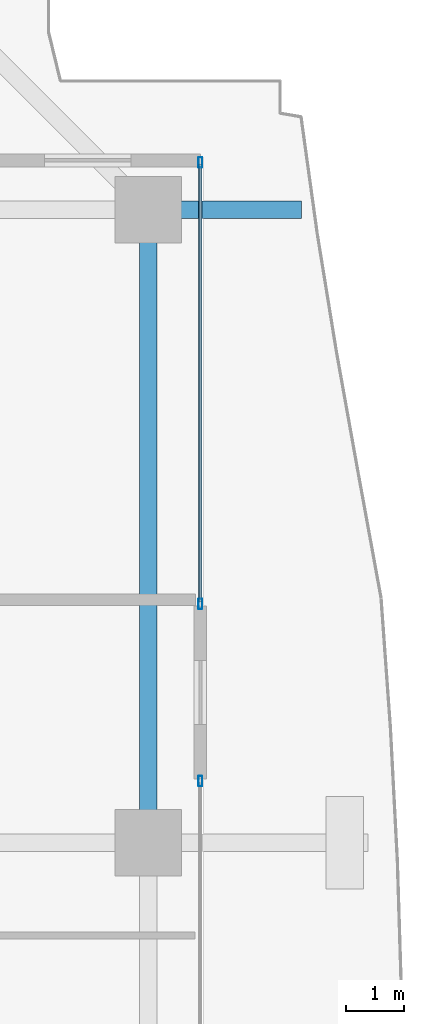
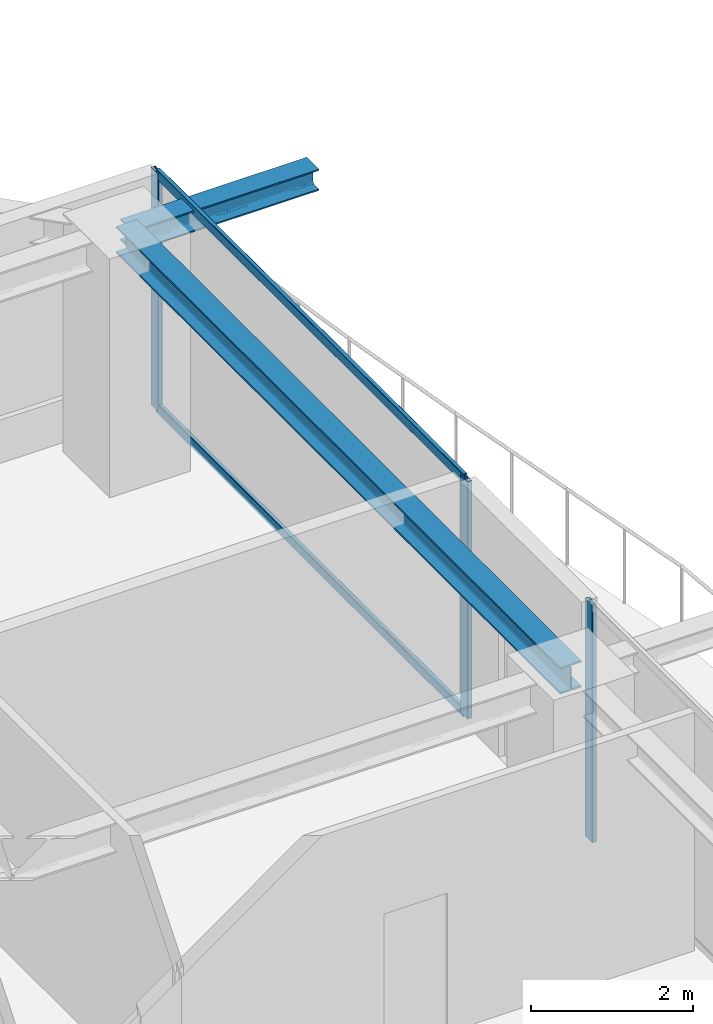
# One storey, part 23 of 38: 5 members, 2 beams, 2 elements without a shape of their own.
"""IFC4 building model written with IfcOpenShell, lengths in metres."""

from ifc_helpers import new_model, si_unit, direction, frame, origin, origin_2d, place, context, subcontext, project, spatial, hollow_rectangle, i_section, extrude, source, transform, mapped, material, layer, layer_set, material_profile, profile_set, type_object, element, aggregate, save


model = new_model("IFC4")

# Units and contexts
model_context = context("Model", 3, precision=1e-05, world=origin(), true_north=direction((0.0, 1.0)))
body_context = subcontext(model_context, "Body", "Model", "MODEL_VIEW")
ifc_project = project(units=[si_unit("LENGTHUNIT", "METRE"), si_unit("AREAUNIT", "SQUARE_METRE"), si_unit("VOLUMEUNIT", "CUBIC_METRE"), si_unit("PLANEANGLEUNIT", "RADIAN"), si_unit("MASSUNIT", "GRAM", prefix="KILO")], contexts=[model_context])

# Site, building, storey
site_placement = place(None, origin())
site = spatial("IfcSite", under=ifc_project, at=site_placement, CompositionType="ELEMENT")
building_placement = place(site_placement, origin())
building = spatial("IfcBuilding", under=site, at=building_placement, Name="Serunith Strait Residences", CompositionType="ELEMENT")
storey_placement = place(building_placement, frame((0.0, 0.0, 229.699951171875)))
storey = spatial("IfcBuildingStorey", under=building, at=storey_placement, Name="L57", CompositionType="ELEMENT", Elevation=229.699951171875)

# Beams
ifc_material_1 = material(Name="Steel S355J2", Category="steel")
ifc_material_profile_1 = material_profile(ifc_material_1, i_section(OverallWidth=0.300048828125, OverallDepth=0.39990234375, WebThickness=0.013427734375, FlangeThickness=0.02392578125, FilletRadius=0.027099609375, at=origin_2d()), Name="HEB 400")
ifc_profile_set_1 = profile_set([ifc_material_profile_1], Name="Steel S355J2")
beam_type_1 = type_object("IfcBeamType", Name="BM-HEB400", PredefinedType="BEAM", material=ifc_profile_set_1)
shared_shape_1 = source(origin(), body_context, "Body", "SweptSolid", [
    extrude(i_section(OverallWidth=0.300048828125, OverallDepth=0.39990234375, WebThickness=0.013427734375, FlangeThickness=0.02392578125, FilletRadius=0.027099609375, at=origin_2d()), origin(), (0.0, 0.0, 1.0), 10.9501953125),
])
beam_1_placement = place(storey_placement, frame((56.5, 29.39990234375, 3.386962890625), z_axis=(0.0, 1.0, 0.0), x_axis=(-1.0, 0.0, 0.0)))
element("IfcBeam", 1, at=beam_1_placement, inside=storey, type_object=beam_type_1, Name="L57 Perimeter Ring Beam 07", PredefinedType="BEAM", context=body_context, shape_type="MappedRepresentation", body=[
    mapped(shared_shape_1, transform((0.0, 0.0, 0.0), scale=1.0)),
])
ifc_material_profile_2 = material_profile(ifc_material_1, i_section(OverallWidth=0.300048828125, OverallDepth=0.320068359375, WebThickness=0.011474609375, FlangeThickness=0.0205078125, FilletRadius=0.027099609375, at=origin_2d()), Name="HEB 320")
ifc_profile_set_2 = profile_set([ifc_material_profile_2], Name="Steel S355J2")
beam_type_2 = type_object("IfcBeamType", Name="BM-HEB320", PredefinedType="BEAM", material=ifc_profile_set_2)
shared_shape_2 = source(origin(), body_context, "Body", "SweptSolid", [
    extrude(i_section(OverallWidth=0.300048828125, OverallDepth=0.320068359375, WebThickness=0.011474609375, FlangeThickness=0.0205078125, FilletRadius=0.027099609375, at=origin_2d()), origin(), (0.0, 0.0, 1.0), 2.652099609375),
])
beam_2_placement = place(storey_placement, frame((56.5, 40.35009765625, 3.39697265625), z_axis=(1.0, 0.0, 0.0), x_axis=(0.0, 1.0, 0.0)))
element("IfcBeam", 2, at=beam_2_placement, inside=storey, type_object=beam_type_2, Name="L58 Cantilevered Balcony Rib TC-E4", PredefinedType="BEAM", context=body_context, shape_type="MappedRepresentation", body=[
    mapped(shared_shape_2, transform((0.0, 0.0, 0.0), scale=1.0)),
])

# Curtain wall, member
ifc_material_2 = material(Name="Pale-Champagne Anodised Aluminium", Category="aluminium")
ifc_layer = layer(ifc_material_2, 0.199951171875, Name="Pale-Champagne Anodised Aluminium")
ifc_layer_set = layer_set([ifc_layer], Name="Pale-Champagne Anodised Aluminium")
curtain_wall_type = type_object("IfcCurtainWallType", Name="CW-SYS4", PredefinedType="NOTDEFINED", material=ifc_layer_set)
curtain_wall_1_placement = place(storey_placement, origin())
curtain_wall_1 = element("IfcCurtainWall", 3, at=curtain_wall_1_placement, inside=storey, type_object=curtain_wall_type, Name="L57 E Unitised Fritted Curtain Wall", PredefinedType="NOTDEFINED")
ifc_material_profile_3 = material_profile(ifc_material_2, hollow_rectangle(XDim=0.06494140625, YDim=0.179931640625, WallThickness=0.00341796875, InnerFilletRadius=0.00537109375, OuterFilletRadius=0.0087890625, at=origin_2d()), Name="ALU 180x65x3.5")
ifc_profile_set_3 = profile_set([ifc_material_profile_3], Name="Pale-Champagne Anodised Aluminium")
member_type_1 = type_object("IfcMemberType", Name="CW-SYS4-MULL", PredefinedType="MULLION", material=ifc_profile_set_3)
shared_shape_3 = source(origin(), body_context, "Body", "SweptSolid", [
    extrude(hollow_rectangle(XDim=0.06494140625, YDim=0.179931640625, WallThickness=0.00341796875, InnerFilletRadius=0.00537109375, OuterFilletRadius=0.0087890625, at=origin_2d()), origin(), (0.0, 0.0, 1.0), 3.574951171875),
])
member_1_placement = place(storey_placement, frame((57.39990234375, 30.467529296875, 0.0), z_axis=(0.0, 0.0, 1.0), x_axis=(-1.0, 0.0, 0.0)))
member_1 = element("IfcMember", 4, at=member_1_placement, type_object=member_type_1, Name="CW-4 mullion 4", PredefinedType="MULLION", context=body_context, shape_type="MappedRepresentation", body=[
    mapped(shared_shape_3, transform((0.0, 0.0, 0.0), scale=1.0)),
])
aggregate(curtain_wall_1, [member_1])

# Curtain wall, members
curtain_wall_2_placement = place(storey_placement, origin())
curtain_wall_2 = element("IfcCurtainWall", 5, at=curtain_wall_2_placement, inside=storey, type_object=curtain_wall_type, Name="L57 E Unitised Fritted Curtain Wall", PredefinedType="NOTDEFINED")
member_2_placement = place(storey_placement, frame((57.39990234375, 33.532470703125, 0.0), z_axis=(0.0, 0.0, 1.0), x_axis=(-1.0, 0.0, 0.0)))
member_2 = element("IfcMember", 6, at=member_2_placement, type_object=member_type_1, Name="CW-4 mullion 1", PredefinedType="MULLION", context=body_context, shape_type="MappedRepresentation", body=[
    mapped(shared_shape_3, transform((0.0, 0.0, 0.0), scale=1.0)),
])
member_3_placement = place(storey_placement, frame((57.39990234375, 41.16748046875, 0.0), z_axis=(0.0, 0.0, 1.0), x_axis=(-1.0, 0.0, 0.0)))
member_3 = element("IfcMember", 7, at=member_3_placement, type_object=member_type_1, Name="CW-4 mullion 2", PredefinedType="MULLION", context=body_context, shape_type="MappedRepresentation", body=[
    mapped(shared_shape_3, transform((0.0, 0.0, 0.0), scale=1.0)),
])
ifc_material_profile_4 = material_profile(ifc_material_2, hollow_rectangle(XDim=0.06005859375, YDim=0.139892578125, WallThickness=0.00341796875, InnerFilletRadius=0.00537109375, OuterFilletRadius=0.0087890625, at=origin_2d()), Name="ALU 140x60x3.5")
ifc_profile_set_4 = profile_set([ifc_material_profile_4], Name="Pale-Champagne Anodised Aluminium")
member_type_2 = type_object("IfcMemberType", Name="CW-SYS4-TRAN", PredefinedType="USERDEFINED", material=ifc_profile_set_4)
shared_shape_4 = source(origin(), body_context, "Body", "SweptSolid", [
    extrude(hollow_rectangle(XDim=0.06005859375, YDim=0.139892578125, WallThickness=0.00341796875, InnerFilletRadius=0.00537109375, OuterFilletRadius=0.0087890625, at=origin_2d()), origin(), (0.0, 0.0, 1.0), 7.570068359375),
])
member_4_placement = place(storey_placement, frame((57.39990234375, 33.56494140625, 0.030029296875), z_axis=(0.0, 1.0, 0.0), x_axis=(-1.0, 0.0, 0.0)))
member_4 = element("IfcMember", 8, at=member_4_placement, type_object=member_type_2, Name="CW-4 transom 1.1", ObjectType="TRANSOM", PredefinedType="USERDEFINED", context=body_context, shape_type="MappedRepresentation", body=[
    mapped(shared_shape_4, transform((0.0, 0.0, 0.0), scale=1.0)),
])
member_5_placement = place(storey_placement, frame((57.39990234375, 33.56494140625, 3.545166015625), z_axis=(0.0, 1.0, 0.0), x_axis=(-1.0, 0.0, 0.0)))
member_5 = element("IfcMember", 9, at=member_5_placement, type_object=member_type_2, Name="CW-4 transom 1.2", ObjectType="TRANSOM", PredefinedType="USERDEFINED", context=body_context, shape_type="MappedRepresentation", body=[
    mapped(shared_shape_4, transform((0.0, 0.0, 0.0), scale=1.0)),
])
aggregate(curtain_wall_2, [member_2, member_3, member_4, member_5])

save(model, "model.ifc")
